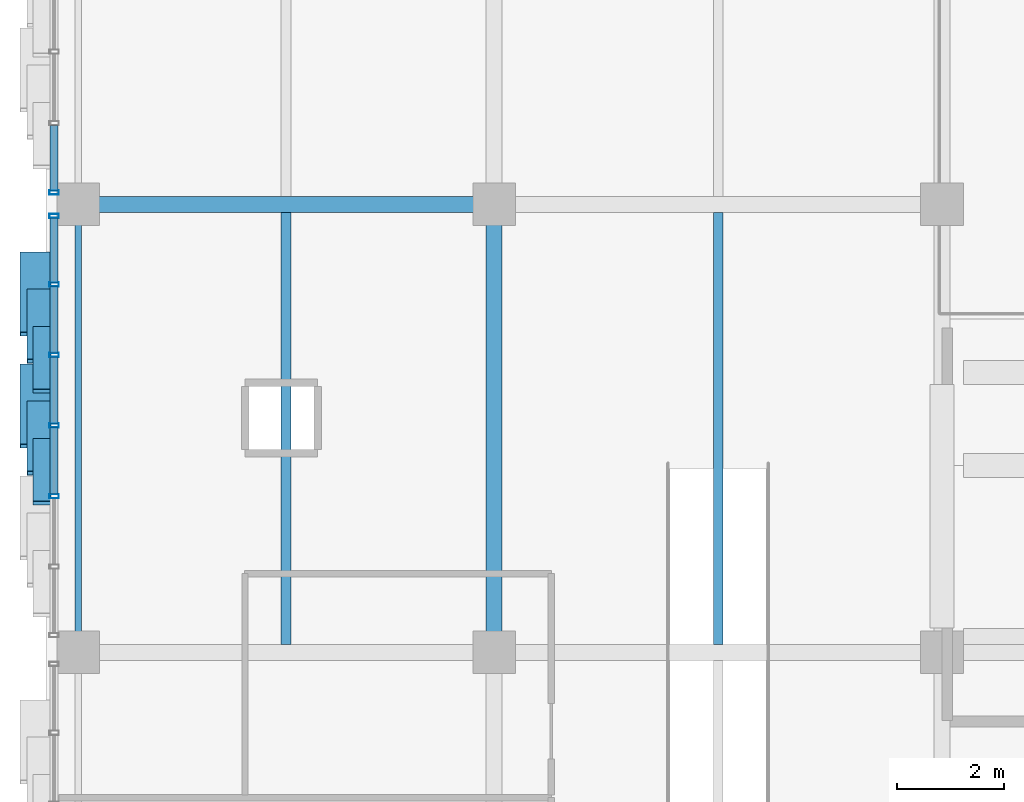
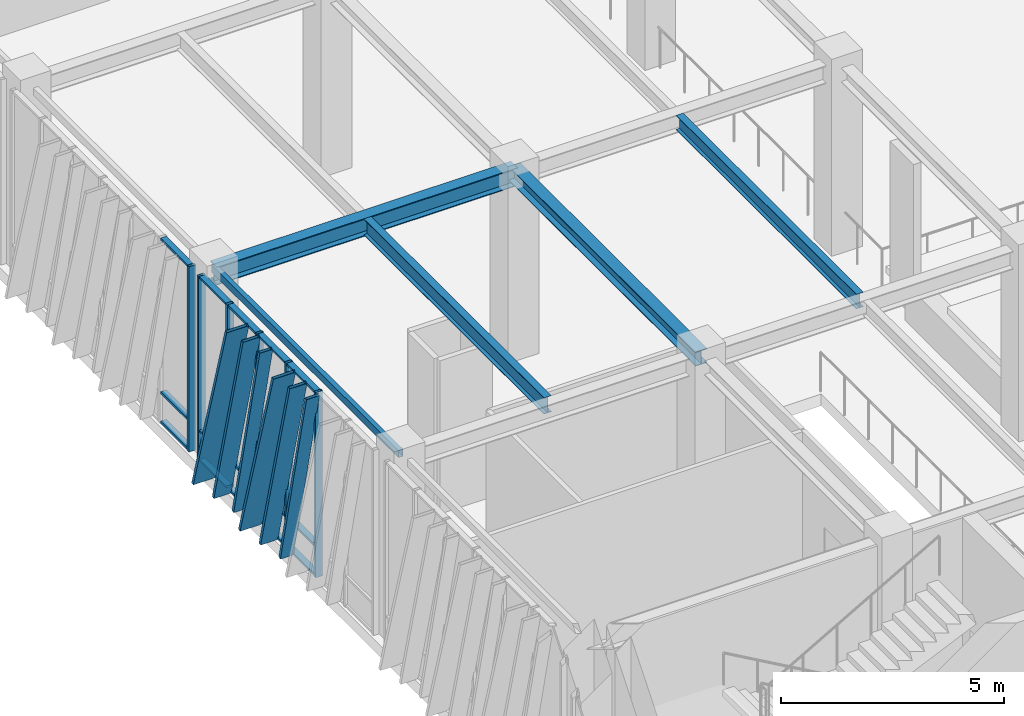
# One storey, part 40 of 139: 27 members, 5 beams, 2 elements without a shape of their own.
"""IFC4 building model written with IfcOpenShell, lengths in metres."""

from ifc_helpers import new_model, si_unit, direction, frame, origin, origin_2d, place, context, subcontext, project, spatial, hollow_rectangle, i_section, extrude, material, layer, layer_set, material_profile, profile_set, type_object, element, aggregate, save


model = new_model("IFC4")

# Units and contexts
model_context = context("Model", 3, precision=1e-05, world=origin(), true_north=direction((0.0, 1.0)))
body_context = subcontext(model_context, "Body", "Model", "MODEL_VIEW")
ifc_project = project(units=[si_unit("LENGTHUNIT", "METRE"), si_unit("AREAUNIT", "SQUARE_METRE"), si_unit("VOLUMEUNIT", "CUBIC_METRE"), si_unit("PLANEANGLEUNIT", "RADIAN"), si_unit("MASSUNIT", "GRAM", prefix="KILO")], contexts=[model_context])

# Site, building, storey
site_placement = place(None, origin())
site = spatial("IfcSite", under=ifc_project, at=site_placement, CompositionType="ELEMENT")
building_placement = place(site_placement, origin())
building = spatial("IfcBuilding", under=site, at=building_placement, Name="Zayran Congress Hotel", CompositionType="ELEMENT")
storey_placement = place(building_placement, frame((0.0, 0.0, 5.39990234375)))
storey = spatial("IfcBuildingStorey", under=building, at=storey_placement, Name="L01", CompositionType="ELEMENT", Elevation=5.39990234375)

# Beams
ifc_material_1 = material(Name="Steel S355", Category="steel")
ifc_material_profile_1 = material_profile(ifc_material_1, i_section(OverallWidth=0.300048828125, OverallDepth=0.489990234375, WebThickness=0.011962890625, FlangeThickness=0.02294921875, at=origin_2d()), Name="HEA 500")
ifc_profile_set_1 = profile_set([ifc_material_profile_1], Name="Steel S355")
beam_type_1 = type_object("IfcBeamType", Name="TP-BM-05", PredefinedType="BEAM", material=ifc_profile_set_1)
beam_1_placement = place(storey_placement, frame((9.0, 92.800048828125, 4.835205078125), z_axis=(1.0, 0.0, 0.0), x_axis=(0.0, 1.0, 0.0)))
element("IfcBeam", 1, at=beam_1_placement, inside=storey, type_object=beam_type_1, Name="BM-V1-L01-0543", PredefinedType="BEAM", context=body_context, shape_type="SweptSolid", body=[
    extrude(i_section(OverallWidth=0.300048828125, OverallDepth=0.489990234375, WebThickness=0.011962890625, FlangeThickness=0.02294921875, at=origin_2d()), origin(), (0.0, 0.0, 1.0), 7.800048828125),
])
ifc_material_profile_2 = material_profile(ifc_material_1, i_section(OverallWidth=0.300048828125, OverallDepth=0.389892578125, WebThickness=0.010986328125, FlangeThickness=0.01904296875, at=origin_2d()), Name="HEA 400")
ifc_profile_set_2 = profile_set([ifc_material_profile_2], Name="Steel S355")
beam_type_2 = type_object("IfcBeamType", Name="TP-BM-06", PredefinedType="BEAM", material=ifc_profile_set_2)
beam_2_placement = place(storey_placement, frame((16.800048828125, 84.39990234375, 4.885009765625), z_axis=(0.0, 1.0, 0.0), x_axis=(-1.0, 0.0, 0.0)))
element("IfcBeam", 2, at=beam_2_placement, inside=storey, type_object=beam_type_2, Name="BM-V1-L01-0578", PredefinedType="BEAM", context=body_context, shape_type="SweptSolid", body=[
    extrude(i_section(OverallWidth=0.300048828125, OverallDepth=0.389892578125, WebThickness=0.010986328125, FlangeThickness=0.01904296875, at=origin_2d()), origin(), (0.0, 0.0, 1.0), 8.400146484375),
])
ifc_material_profile_3 = material_profile(ifc_material_1, i_section(OverallWidth=0.18994140625, OverallDepth=0.449951171875, WebThickness=0.009521484375, FlangeThickness=0.0146484375, at=origin_2d()), Name="IPE 450")
ifc_profile_set_3 = profile_set([ifc_material_profile_3], Name="Steel S355")
beam_type_3 = type_object("IfcBeamType", Name="TP-JS-02", PredefinedType="JOIST", material=ifc_profile_set_3)
beam_3_placement = place(storey_placement, frame((12.89990234375, 84.550048828125, 4.85498046875), z_axis=(0.0, 1.0, 0.0), x_axis=(-1.0, 0.0, 0.0)))
element("IfcBeam", 3, at=beam_3_placement, inside=storey, type_object=beam_type_3, Name="JST-V1-L01-0618", PredefinedType="JOIST", context=body_context, shape_type="SweptSolid", body=[
    extrude(i_section(OverallWidth=0.18994140625, OverallDepth=0.449951171875, WebThickness=0.009521484375, FlangeThickness=0.0146484375, at=origin_2d()), origin(), (0.0, 0.0, 1.0), 8.099853515625),
])
ifc_material_profile_4 = material_profile(ifc_material_1, i_section(OverallWidth=0.179931640625, OverallDepth=0.39990234375, WebThickness=0.008544921875, FlangeThickness=0.013427734375, at=origin_2d()), Name="IPE 400")
ifc_profile_set_4 = profile_set([ifc_material_profile_4], Name="Steel S355")
beam_type_4 = type_object("IfcBeamType", Name="TP-JS-03", PredefinedType="JOIST", material=ifc_profile_set_4)
beam_4_placement = place(storey_placement, frame((21.0, 84.550048828125, 4.880126953125), z_axis=(0.0, 1.0, 0.0), x_axis=(-1.0, 0.0, 0.0)))
element("IfcBeam", 4, at=beam_4_placement, inside=storey, type_object=beam_type_4, Name="JST-V1-L01-0622", PredefinedType="JOIST", context=body_context, shape_type="SweptSolid", body=[
    extrude(i_section(OverallWidth=0.179931640625, OverallDepth=0.39990234375, WebThickness=0.008544921875, FlangeThickness=0.013427734375, at=origin_2d()), origin(), (0.0, 0.0, 1.0), 8.099853515625),
])
ifc_material_profile_5 = material_profile(ifc_material_1, hollow_rectangle(XDim=0.1201171875, YDim=0.199951171875, WallThickness=0.008056640625, at=origin_2d()), Name="RHS 200x120x8")
ifc_profile_set_5 = profile_set([ifc_material_profile_5], Name="Steel S355")
beam_type_5 = type_object("IfcBeamType", Name="TP-SP-02", PredefinedType="SPANDREL", material=ifc_profile_set_5)
beam_5_placement = place(storey_placement, frame((9.0, 84.39990234375, 4.97998046875), z_axis=(0.0, 1.0, 0.0), x_axis=(-1.0, 0.0, 0.0)))
element("IfcBeam", 5, at=beam_5_placement, inside=storey, type_object=beam_type_5, Name="BM-V1-L01-0573", PredefinedType="SPANDREL", context=body_context, shape_type="SweptSolid", body=[
    extrude(hollow_rectangle(XDim=0.1201171875, YDim=0.199951171875, WallThickness=0.008056640625, at=origin_2d()), origin(), (0.0, 0.0, 1.0), 8.400146484375),
])

# Curtain wall, members
ifc_material_2 = material(Name="Anodised aluminium and low-E insulated glass", Category="aluminium")
ifc_layer_1 = layer(ifc_material_2, 0.179931640625)
ifc_layer_set_1 = layer_set([ifc_layer_1], Name="Anodised aluminium and low-E insulated glass")
curtain_wall_type_1 = type_object("IfcCurtainWallType", Name="CW-V1W-L01-CW-31-7940-5080", PredefinedType="USERDEFINED", material=ifc_layer_set_1)
curtain_wall_1_placement = place(storey_placement, origin())
curtain_wall_1 = element("IfcCurtainWall", 6, at=curtain_wall_1_placement, inside=storey, type_object=curtain_wall_type_1, Name="CW-V1W-L01-2", ObjectType="CURTAIN WALL", PredefinedType="USERDEFINED")
ifc_material_3 = material(Name="Anodised aluminium framing", Category="aluminium")
ifc_material_profile_6 = material_profile(ifc_material_3, hollow_rectangle(XDim=0.080078125, YDim=0.179931640625, WallThickness=0.0048828125, at=origin_2d()), Name="RHS 180x80x5")
ifc_profile_set_6 = profile_set([ifc_material_profile_6], Name="Anodised aluminium framing")
member_type_1 = type_object("IfcMemberType", Name="TP-CWM-01", PredefinedType="MULLION", material=ifc_profile_set_6)
member_1_placement = place(storey_placement, frame((8.550048828125, 92.580078125, 0.0), z_axis=(0.0, 0.0, 1.0), x_axis=(0.0, 1.0, 0.0)))
member_1 = element("IfcMember", 7, at=member_1_placement, type_object=member_type_1, Name="CW-V1W-L01-2-M00", PredefinedType="MULLION", context=body_context, shape_type="SweptSolid", body=[
    extrude(hollow_rectangle(XDim=0.080078125, YDim=0.179931640625, WallThickness=0.0048828125, at=origin_2d()), origin(), (0.0, 0.0, 1.0), 5.080078125),
])
member_2_placement = place(storey_placement, frame((8.550048828125, 91.296630859375, 0.0), z_axis=(0.0, 0.0, 1.0), x_axis=(0.0, 1.0, 0.0)))
member_2 = element("IfcMember", 8, at=member_2_placement, type_object=member_type_1, Name="CW-V1W-L01-2-M01", PredefinedType="MULLION", context=body_context, shape_type="SweptSolid", body=[
    extrude(hollow_rectangle(XDim=0.080078125, YDim=0.179931640625, WallThickness=0.0048828125, at=origin_2d()), origin(), (0.0, 0.0, 1.0), 5.080078125),
])
member_3_placement = place(storey_placement, frame((8.550048828125, 89.973388671875, 0.0), z_axis=(0.0, 0.0, 1.0), x_axis=(0.0, 1.0, 0.0)))
member_3 = element("IfcMember", 9, at=member_3_placement, type_object=member_type_1, Name="CW-V1W-L01-2-M02", PredefinedType="MULLION", context=body_context, shape_type="SweptSolid", body=[
    extrude(hollow_rectangle(XDim=0.080078125, YDim=0.179931640625, WallThickness=0.0048828125, at=origin_2d()), origin(), (0.0, 0.0, 1.0), 5.080078125),
])
member_4_placement = place(storey_placement, frame((8.550048828125, 88.64990234375, 0.0), z_axis=(0.0, 0.0, 1.0), x_axis=(0.0, 1.0, 0.0)))
member_4 = element("IfcMember", 10, at=member_4_placement, type_object=member_type_1, Name="CW-V1W-L01-2-M03", PredefinedType="MULLION", context=body_context, shape_type="SweptSolid", body=[
    extrude(hollow_rectangle(XDim=0.080078125, YDim=0.179931640625, WallThickness=0.0048828125, at=origin_2d()), origin(), (0.0, 0.0, 1.0), 5.080078125),
])
member_5_placement = place(storey_placement, frame((8.550048828125, 87.32666015625, 0.0), z_axis=(0.0, 0.0, 1.0), x_axis=(0.0, 1.0, 0.0)))
member_5 = element("IfcMember", 11, at=member_5_placement, type_object=member_type_1, Name="CW-V1W-L01-2-M04", PredefinedType="MULLION", context=body_context, shape_type="SweptSolid", body=[
    extrude(hollow_rectangle(XDim=0.080078125, YDim=0.179931640625, WallThickness=0.0048828125, at=origin_2d()), origin(), (0.0, 0.0, 1.0), 5.080078125),
])

# Curtain wall, member
ifc_layer_2 = layer(ifc_material_2, 0.179931640625)
ifc_layer_set_2 = layer_set([ifc_layer_2], Name="Anodised aluminium and low-E insulated glass")
curtain_wall_type_2 = type_object("IfcCurtainWallType", Name="CW-V1W-L01-CW-32-8040-5080", PredefinedType="USERDEFINED", material=ifc_layer_set_2)
curtain_wall_2_placement = place(storey_placement, origin())
curtain_wall_2 = element("IfcCurtainWall", 12, at=curtain_wall_2_placement, inside=storey, type_object=curtain_wall_type_2, Name="CW-V1W-L01-3", ObjectType="CURTAIN WALL", PredefinedType="USERDEFINED")
member_6_placement = place(storey_placement, frame((8.550048828125, 93.02001953125, 0.0), z_axis=(0.0, 0.0, 1.0), x_axis=(0.0, 1.0, 0.0)))
member_6 = element("IfcMember", 13, at=member_6_placement, type_object=member_type_1, Name="CW-V1W-L01-3-M06", PredefinedType="MULLION", context=body_context, shape_type="SweptSolid", body=[
    extrude(hollow_rectangle(XDim=0.080078125, YDim=0.179931640625, WallThickness=0.0048828125, at=origin_2d()), origin(), (0.0, 0.0, 1.0), 5.080078125),
])

# Member
ifc_material_profile_7 = material_profile(ifc_material_3, hollow_rectangle(XDim=0.06005859375, YDim=0.14990234375, WallThickness=0.00390625, at=origin_2d()), Name="RHS 150x60x4")
ifc_profile_set_7 = profile_set([ifc_material_profile_7], Name="Anodised aluminium framing")
member_type_2 = type_object("IfcMemberType", Name="TP-CWT-01", PredefinedType="USERDEFINED", material=ifc_profile_set_7)
member_7_placement = place(storey_placement, frame((8.550048828125, 92.5400390625, 0.030029296875), z_axis=(0.0, -1.0, 0.0), x_axis=(0.0, 0.0, 1.0)))
member_7 = element("IfcMember", 14, at=member_7_placement, type_object=member_type_2, Name="CW-V1W-L01-2-T00-0", ObjectType="TRANSOM", PredefinedType="USERDEFINED", context=body_context, shape_type="SweptSolid", body=[
    extrude(hollow_rectangle(XDim=0.06005859375, YDim=0.14990234375, WallThickness=0.00390625, at=origin_2d()), origin(), (0.0, 0.0, 1.0), 1.203369140625),
])

member_8_placement = place(storey_placement, frame((8.550048828125, 92.5400390625, 0.840087890625), z_axis=(0.0, -1.0, 0.0), x_axis=(0.0, 0.0, 1.0)))
member_8 = element("IfcMember", 15, at=member_8_placement, type_object=member_type_2, Name="CW-V1W-L01-2-T00-1", ObjectType="TRANSOM", PredefinedType="USERDEFINED", context=body_context, shape_type="SweptSolid", body=[
    extrude(hollow_rectangle(XDim=0.06005859375, YDim=0.14990234375, WallThickness=0.00390625, at=origin_2d()), origin(), (0.0, 0.0, 1.0), 1.203369140625),
])

member_9_placement = place(storey_placement, frame((8.550048828125, 92.5400390625, 5.050048828125), z_axis=(0.0, -1.0, 0.0), x_axis=(0.0, 0.0, 1.0)))
member_9 = element("IfcMember", 16, at=member_9_placement, type_object=member_type_2, Name="CW-V1W-L01-2-T00-2", ObjectType="TRANSOM", PredefinedType="USERDEFINED", context=body_context, shape_type="SweptSolid", body=[
    extrude(hollow_rectangle(XDim=0.06005859375, YDim=0.14990234375, WallThickness=0.00390625, at=origin_2d()), origin(), (0.0, 0.0, 1.0), 1.203369140625),
])

member_10_placement = place(storey_placement, frame((8.550048828125, 91.256591796875, 0.030029296875), z_axis=(0.0, -1.0, 0.0), x_axis=(0.0, 0.0, 1.0)))
member_10 = element("IfcMember", 17, at=member_10_placement, type_object=member_type_2, Name="CW-V1W-L01-2-T01-0", ObjectType="TRANSOM", PredefinedType="USERDEFINED", context=body_context, shape_type="SweptSolid", body=[
    extrude(hollow_rectangle(XDim=0.06005859375, YDim=0.14990234375, WallThickness=0.00390625, at=origin_2d()), origin(), (0.0, 0.0, 1.0), 1.243408203125),
])

member_11_placement = place(storey_placement, frame((8.550048828125, 91.256591796875, 0.840087890625), z_axis=(0.0, -1.0, 0.0), x_axis=(0.0, 0.0, 1.0)))
member_11 = element("IfcMember", 18, at=member_11_placement, type_object=member_type_2, Name="CW-V1W-L01-2-T01-1", ObjectType="TRANSOM", PredefinedType="USERDEFINED", context=body_context, shape_type="SweptSolid", body=[
    extrude(hollow_rectangle(XDim=0.06005859375, YDim=0.14990234375, WallThickness=0.00390625, at=origin_2d()), origin(), (0.0, 0.0, 1.0), 1.243408203125),
])

member_12_placement = place(storey_placement, frame((8.550048828125, 91.256591796875, 5.050048828125), z_axis=(0.0, -1.0, 0.0), x_axis=(0.0, 0.0, 1.0)))
member_12 = element("IfcMember", 19, at=member_12_placement, type_object=member_type_2, Name="CW-V1W-L01-2-T01-2", ObjectType="TRANSOM", PredefinedType="USERDEFINED", context=body_context, shape_type="SweptSolid", body=[
    extrude(hollow_rectangle(XDim=0.06005859375, YDim=0.14990234375, WallThickness=0.00390625, at=origin_2d()), origin(), (0.0, 0.0, 1.0), 1.243408203125),
])

member_13_placement = place(storey_placement, frame((8.550048828125, 89.933349609375, 0.030029296875), z_axis=(0.0, -1.0, 0.0), x_axis=(0.0, 0.0, 1.0)))
member_13 = element("IfcMember", 20, at=member_13_placement, type_object=member_type_2, Name="CW-V1W-L01-2-T02-0", ObjectType="TRANSOM", PredefinedType="USERDEFINED", context=body_context, shape_type="SweptSolid", body=[
    extrude(hollow_rectangle(XDim=0.06005859375, YDim=0.14990234375, WallThickness=0.00390625, at=origin_2d()), origin(), (0.0, 0.0, 1.0), 1.243408203125),
])

member_14_placement = place(storey_placement, frame((8.550048828125, 89.933349609375, 0.840087890625), z_axis=(0.0, -1.0, 0.0), x_axis=(0.0, 0.0, 1.0)))
member_14 = element("IfcMember", 21, at=member_14_placement, type_object=member_type_2, Name="CW-V1W-L01-2-T02-1", ObjectType="TRANSOM", PredefinedType="USERDEFINED", context=body_context, shape_type="SweptSolid", body=[
    extrude(hollow_rectangle(XDim=0.06005859375, YDim=0.14990234375, WallThickness=0.00390625, at=origin_2d()), origin(), (0.0, 0.0, 1.0), 1.243408203125),
])

member_15_placement = place(storey_placement, frame((8.550048828125, 89.933349609375, 5.050048828125), z_axis=(0.0, -1.0, 0.0), x_axis=(0.0, 0.0, 1.0)))
member_15 = element("IfcMember", 22, at=member_15_placement, type_object=member_type_2, Name="CW-V1W-L01-2-T02-2", ObjectType="TRANSOM", PredefinedType="USERDEFINED", context=body_context, shape_type="SweptSolid", body=[
    extrude(hollow_rectangle(XDim=0.06005859375, YDim=0.14990234375, WallThickness=0.00390625, at=origin_2d()), origin(), (0.0, 0.0, 1.0), 1.243408203125),
])

member_16_placement = place(storey_placement, frame((8.550048828125, 88.610107421875, 0.030029296875), z_axis=(0.0, -1.0, 0.0), x_axis=(0.0, 0.0, 1.0)))
member_16 = element("IfcMember", 23, at=member_16_placement, type_object=member_type_2, Name="CW-V1W-L01-2-T03-0", ObjectType="TRANSOM", PredefinedType="USERDEFINED", context=body_context, shape_type="SweptSolid", body=[
    extrude(hollow_rectangle(XDim=0.06005859375, YDim=0.14990234375, WallThickness=0.00390625, at=origin_2d()), origin(), (0.0, 0.0, 1.0), 1.243408203125),
])

member_17_placement = place(storey_placement, frame((8.550048828125, 88.610107421875, 0.840087890625), z_axis=(0.0, -1.0, 0.0), x_axis=(0.0, 0.0, 1.0)))
member_17 = element("IfcMember", 24, at=member_17_placement, type_object=member_type_2, Name="CW-V1W-L01-2-T03-1", ObjectType="TRANSOM", PredefinedType="USERDEFINED", context=body_context, shape_type="SweptSolid", body=[
    extrude(hollow_rectangle(XDim=0.06005859375, YDim=0.14990234375, WallThickness=0.00390625, at=origin_2d()), origin(), (0.0, 0.0, 1.0), 1.243408203125),
])

member_18_placement = place(storey_placement, frame((8.550048828125, 88.610107421875, 5.050048828125), z_axis=(0.0, -1.0, 0.0), x_axis=(0.0, 0.0, 1.0)))
member_18 = element("IfcMember", 25, at=member_18_placement, type_object=member_type_2, Name="CW-V1W-L01-2-T03-2", ObjectType="TRANSOM", PredefinedType="USERDEFINED", context=body_context, shape_type="SweptSolid", body=[
    extrude(hollow_rectangle(XDim=0.06005859375, YDim=0.14990234375, WallThickness=0.00390625, at=origin_2d()), origin(), (0.0, 0.0, 1.0), 1.243408203125),
])

member_19_placement = place(storey_placement, frame((8.550048828125, 94.280029296875, 0.030029296875), z_axis=(0.0, -1.0, 0.0), x_axis=(0.0, 0.0, 1.0)))
member_19 = element("IfcMember", 26, at=member_19_placement, type_object=member_type_2, Name="CW-V1W-L01-3-T05-0", ObjectType="TRANSOM", PredefinedType="USERDEFINED", context=body_context, shape_type="SweptSolid", body=[
    extrude(hollow_rectangle(XDim=0.06005859375, YDim=0.14990234375, WallThickness=0.00390625, at=origin_2d()), origin(), (0.0, 0.0, 1.0), 1.219970703125),
])

member_20_placement = place(storey_placement, frame((8.550048828125, 94.280029296875, 0.840087890625), z_axis=(0.0, -1.0, 0.0), x_axis=(0.0, 0.0, 1.0)))
member_20 = element("IfcMember", 27, at=member_20_placement, type_object=member_type_2, Name="CW-V1W-L01-3-T05-1", ObjectType="TRANSOM", PredefinedType="USERDEFINED", context=body_context, shape_type="SweptSolid", body=[
    extrude(hollow_rectangle(XDim=0.06005859375, YDim=0.14990234375, WallThickness=0.00390625, at=origin_2d()), origin(), (0.0, 0.0, 1.0), 1.219970703125),
])

member_21_placement = place(storey_placement, frame((8.550048828125, 94.280029296875, 5.050048828125), z_axis=(0.0, -1.0, 0.0), x_axis=(0.0, 0.0, 1.0)))
member_21 = element("IfcMember", 28, at=member_21_placement, type_object=member_type_2, Name="CW-V1W-L01-3-T05-2", ObjectType="TRANSOM", PredefinedType="USERDEFINED", context=body_context, shape_type="SweptSolid", body=[
    extrude(hollow_rectangle(XDim=0.06005859375, YDim=0.14990234375, WallThickness=0.00390625, at=origin_2d()), origin(), (0.0, 0.0, 1.0), 1.219970703125),
])

aggregate(curtain_wall_2, [member_6, member_19, member_20, member_21])

ifc_material_4 = material(Name="Warm bronze anodised aluminium", Category="aluminium")
ifc_material_profile_8 = material_profile(ifc_material_4, hollow_rectangle(XDim=0.080078125, YDim=0.580078125, WallThickness=0.006103515625, at=origin_2d()), Name="RHS 580x80x6")
ifc_profile_set_8 = profile_set([ifc_material_profile_8], Name="Warm bronze anodised aluminium")
member_type_3 = type_object("IfcMemberType", Name="TP-RFN-01", PredefinedType="MULLION", material=ifc_profile_set_8)
member_22_placement = place(storey_placement, frame((8.199951171875, 91.8701171875, 0.0), z_axis=(0.0, -0.284031848834, 0.958814845968), x_axis=(0.0, 0.958814845968, 0.284031848834)))
member_22 = element("IfcMember", 29, at=member_22_placement, type_object=member_type_3, Name="Slanting Reed Mullion CW-31-01", PredefinedType="MULLION", context=body_context, shape_type="SweptSolid", body=[
    extrude(hollow_rectangle(XDim=0.080078125, YDim=0.580078125, WallThickness=0.006103515625, at=origin_2d()), origin(), (0.0, 0.0, 1.0), 5.29833984375),
])

member_23_placement = place(storey_placement, frame((8.199951171875, 89.77001953125, 0.0), z_axis=(0.0, -0.284031848834, 0.958814845968), x_axis=(0.0, 0.958814845968, 0.284031848834)))
member_23 = element("IfcMember", 30, at=member_23_placement, type_object=member_type_3, Name="Slanting Reed Mullion CW-31-04", PredefinedType="MULLION", context=body_context, shape_type="SweptSolid", body=[
    extrude(hollow_rectangle(XDim=0.080078125, YDim=0.580078125, WallThickness=0.006103515625, at=origin_2d()), origin(), (0.0, 0.0, 1.0), 5.29833984375),
])

ifc_material_profile_9 = material_profile(ifc_material_4, hollow_rectangle(XDim=0.080078125, YDim=0.449951171875, WallThickness=0.006103515625, at=origin_2d()), Name="RHS 450x80x6")
ifc_profile_set_9 = profile_set([ifc_material_profile_9], Name="Warm bronze anodised aluminium")
member_type_4 = type_object("IfcMemberType", Name="TP-RFN-02", PredefinedType="MULLION", material=ifc_profile_set_9)
member_24_placement = place(storey_placement, frame((8.264892578125, 91.169921875, 0.0), z_axis=(0.0, -0.250366279854, 0.968151189594), x_axis=(0.0, 0.968151189594, 0.250366279854)))
member_24 = element("IfcMember", 31, at=member_24_placement, type_object=member_type_4, Name="Slanting Reed Mullion CW-31-02", PredefinedType="MULLION", context=body_context, shape_type="SweptSolid", body=[
    extrude(hollow_rectangle(XDim=0.080078125, YDim=0.449951171875, WallThickness=0.006103515625, at=origin_2d()), origin(), (0.0, 0.0, 1.0), 5.247314453125),
])

member_25_placement = place(storey_placement, frame((8.264892578125, 89.070068359375, 0.0), z_axis=(0.0, -0.25040989041, 0.968139910749), x_axis=(0.0, 0.968139910749, 0.25040989041)))
member_25 = element("IfcMember", 32, at=member_25_placement, type_object=member_type_4, Name="Slanting Reed Mullion CW-31-05", PredefinedType="MULLION", context=body_context, shape_type="SweptSolid", body=[
    extrude(hollow_rectangle(XDim=0.080078125, YDim=0.449951171875, WallThickness=0.006103515625, at=origin_2d()), origin(), (0.0, 0.0, 1.0), 5.247314453125),
])

ifc_material_profile_10 = material_profile(ifc_material_4, hollow_rectangle(XDim=0.080078125, YDim=0.340087890625, WallThickness=0.006103515625, at=origin_2d()), Name="RHS 340x80x6")
ifc_profile_set_10 = profile_set([ifc_material_profile_10], Name="Warm bronze anodised aluminium")
member_type_5 = type_object("IfcMemberType", Name="TP-RFN-03", PredefinedType="MULLION", material=ifc_profile_set_10)
member_26_placement = place(storey_placement, frame((8.320068359375, 90.469970703125, 0.0), z_axis=(0.0, -0.224955263497, 0.974369093016), x_axis=(0.0, 0.974369093016, 0.224955263497)))
member_26 = element("IfcMember", 33, at=member_26_placement, type_object=member_type_5, Name="Slanting Reed Mullion CW-31-03", PredefinedType="MULLION", context=body_context, shape_type="SweptSolid", body=[
    extrude(hollow_rectangle(XDim=0.080078125, YDim=0.340087890625, WallThickness=0.006103515625, at=origin_2d()), origin(), (0.0, 0.0, 1.0), 5.213623046875),
])

member_27_placement = place(storey_placement, frame((8.320068359375, 88.3701171875, 0.0), z_axis=(0.0, -0.224955263497, 0.974369093016), x_axis=(0.0, 0.974369093016, 0.224955263497)))
member_27 = element("IfcMember", 34, at=member_27_placement, type_object=member_type_5, Name="Slanting Reed Mullion CW-31-06", PredefinedType="MULLION", context=body_context, shape_type="SweptSolid", body=[
    extrude(hollow_rectangle(XDim=0.080078125, YDim=0.340087890625, WallThickness=0.006103515625, at=origin_2d()), origin(), (0.0, 0.0, 1.0), 5.213623046875),
])

aggregate(curtain_wall_1, [member_1, member_2, member_3, member_4, member_5, member_7, member_8, member_9, member_10, member_11, member_12, member_13, member_14, member_15, member_16, member_17, member_18, member_22, member_24, member_26, member_23, member_25, member_27])

save(model, "model.ifc")
